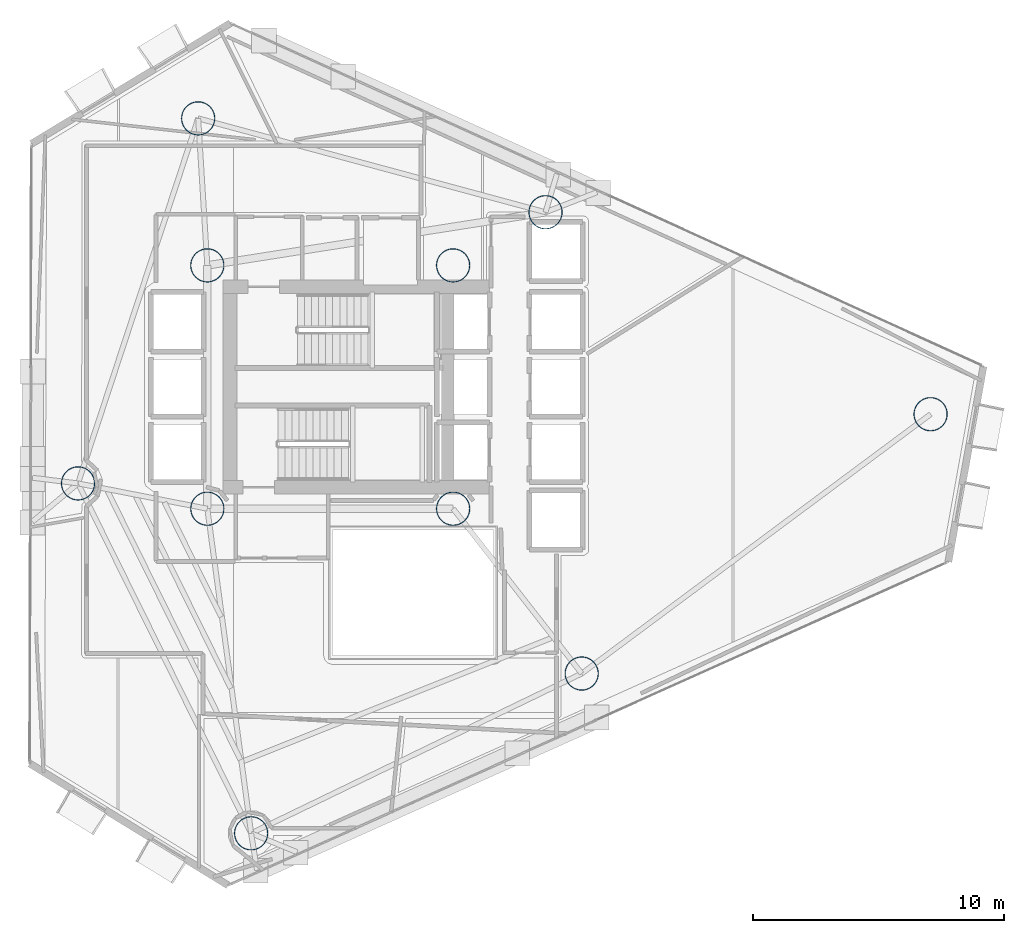
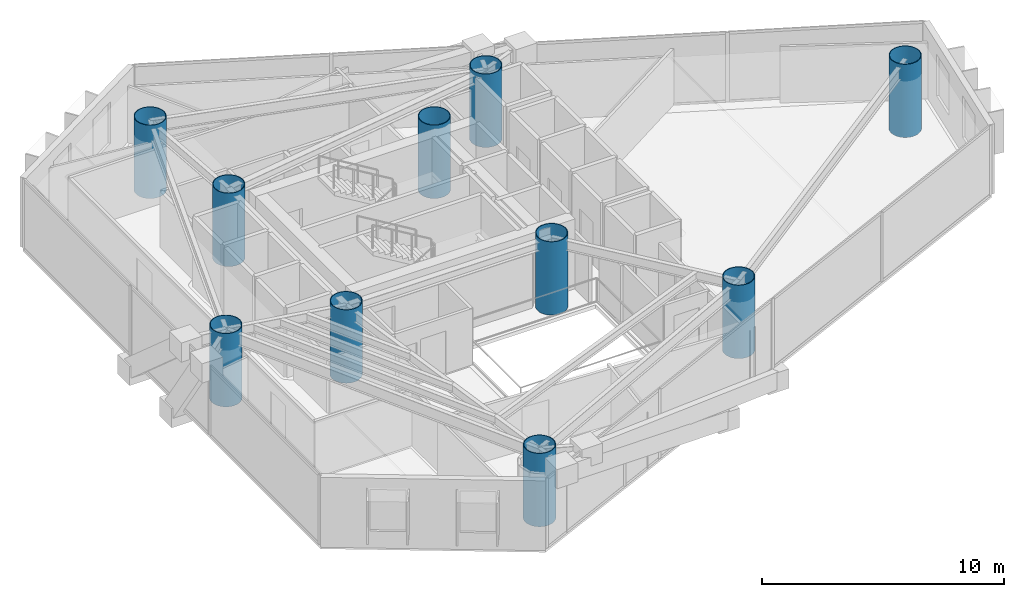
# One storey, part 1 of 23: 10 columns.
"""IFC4 building model written with IfcOpenShell, lengths in metres."""

import ifcopenshell
import ifcopenshell.guid

model = None  # the IFC model being written
_history = None  # IfcOwnerHistory: only IFC2X3 demands one
_inside = {}  # id of a spatial element -> (the spatial element, [elements in it])
_under = {}  # id of a project, library or spatial element -> (it, [spatial elements below it])
_declared = {}  # id of a project -> (the project, [libraries it declares])
_typed = {}  # id of a type object -> (the type object, [elements of that type])
_made_of = {}  # id of a material, layer set ... -> (it, [elements and type objects made of it])


def new_model(schema):
    """Start an empty IFC model of exactly this schema.

    Asked for "IFC4X3", IfcOpenShell would pick the latest addendum, in which some entities
    have other attributes; the version numbers below select the first issue.
    IFC2X3 requires an IfcOwnerHistory on every rooted entity: one is made here for all.
    """
    global model, _history
    if schema == "IFC4X3":
        model = ifcopenshell.file(schema_version=(4, 3, 0, 0))
    else:
        model = ifcopenshell.file(schema=schema)
    _inside.clear()
    _under.clear()
    _declared.clear()
    _typed.clear()
    _made_of.clear()
    _history = None
    if model.schema == "IFC2X3":
        org = make("IfcOrganization", Name="unknown")
        user = make(
            "IfcPersonAndOrganization",
            ThePerson=make("IfcPerson", FamilyName="unknown"),
            TheOrganization=org,
        )
        app = make(
            "IfcApplication",
            ApplicationDeveloper=org,
            Version="unknown",
            ApplicationFullName="unknown",
            ApplicationIdentifier="unknown",
        )
        _history = make(
            "IfcOwnerHistory",
            OwningUser=user,
            OwningApplication=app,
            ChangeAction="ADDED",
            CreationDate=0,
        )
    return model


def make(cls, **values):
    """One entity of the class cls with the attributes given. An attribute that is None is left unset."""
    return model.create_entity(
        cls, **{name: value for name, value in values.items() if value is not None}
    )


def rooted(cls, **values):
    """An entity with a GlobalId (a new one), such as an element, a storey or a relation."""
    return make(cls, GlobalId=ifcopenshell.guid.new(), OwnerHistory=_history, **values)


def si_unit(unit_type, name, prefix=None):
    """IfcSIUnit, for example si_unit("LENGTHUNIT", "METRE", prefix="MILLI")."""
    return make("IfcSIUnit", UnitType=unit_type, Prefix=prefix, Name=name)


def assignment(units):
    """IfcUnitAssignment: the units of a project."""
    return None if units is None else make("IfcUnitAssignment", Units=units)


def point(xyz):
    """IfcCartesianPoint."""
    return None if xyz is None else make("IfcCartesianPoint", Coordinates=xyz)


def direction(xyz):
    """IfcDirection."""
    return None if xyz is None else make("IfcDirection", DirectionRatios=xyz)


def frame(location, z_axis=None, x_axis=None):
    """IfcAxis2Placement3D, a coordinate frame: its origin and axes. An axis left out is left unset."""
    return make(
        "IfcAxis2Placement3D",
        Location=point(location),
        Axis=direction(z_axis),
        RefDirection=direction(x_axis),
    )


def frame_2d(location, x_axis=None):
    """IfcAxis2Placement2D, a coordinate frame in the plane: its origin and x axis."""
    return make(
        "IfcAxis2Placement2D", Location=point(location), RefDirection=direction(x_axis)
    )


def origin():
    """The frame at (0, 0, 0) with its axes left unset."""
    return frame((0.0, 0.0, 0.0))


def origin_2d():
    """The frame at (0, 0) in the plane with its x axis left unset."""
    return frame_2d((0.0, 0.0))


def place(relative_to, where):
    """IfcLocalPlacement: puts the frame where relative to a parent placement (None: the world)."""
    return make(
        "IfcLocalPlacement", PlacementRelTo=relative_to, RelativePlacement=where
    )


def context(
    kind, dimensions, precision=None, world=None, true_north=None, identifier=None
):
    """IfcGeometricRepresentationContext, for example the 3D "Model" context."""
    return make(
        "IfcGeometricRepresentationContext",
        ContextIdentifier=identifier,
        ContextType=kind,
        CoordinateSpaceDimension=dimensions,
        Precision=precision,
        WorldCoordinateSystem=world,
        TrueNorth=true_north,
    )


def subcontext(parent, identifier, kind, view, scale=None):
    """IfcGeometricRepresentationSubContext, for example "Body" below "Model"."""
    return make(
        "IfcGeometricRepresentationSubContext",
        ContextIdentifier=identifier,
        ContextType=kind,
        ParentContext=parent,
        TargetScale=scale,
        TargetView=view,
    )


def project(units=None, contexts=None):
    """IfcProject with its units and contexts."""
    return rooted(
        "IfcProject",
        Name="project",
        RepresentationContexts=contexts,
        UnitsInContext=assignment(units),
    )


def spatial(cls, under=None, at=None, **own):
    """A site, building, storey or space (cls), placed at a placement, below another one or the project."""
    s = rooted(cls, ObjectPlacement=at, **own)
    if under is not None:
        _under.setdefault(under.id(), (under, []))[1].append(s)
    return s


def profile(cls, at=None, kind="AREA", **sizes):
    """A parametric profile (cls). Its sizes go by their IFC names, for example OverallWidth=200.0."""
    return make(cls, ProfileType=kind, Position=at, **sizes)


def hollow_circle(**sizes):
    """IfcCircleHollowProfileDef."""
    return profile("IfcCircleHollowProfileDef", **sizes)


def extrude(swept, where, along, depth):
    """IfcExtrudedAreaSolid: the profile swept, set in the frame where, extruded along a direction by depth."""
    return make(
        "IfcExtrudedAreaSolid",
        SweptArea=swept,
        Position=where,
        ExtrudedDirection=direction(along),
        Depth=depth,
    )


def shape(context_of_items, identifier, shape_type, items):
    """IfcShapeRepresentation: the items that make up one representation, for example the "Body"."""
    return make(
        "IfcShapeRepresentation",
        ContextOfItems=context_of_items,
        RepresentationIdentifier=identifier,
        RepresentationType=shape_type,
        Items=items,
    )


def material(Name=None, Category=None):
    """IfcMaterial."""
    return make("IfcMaterial", Name=Name, Category=Category)


def material_profile(
    of_material, cross_section, Name=None, Category=None, Priority=None
):
    """IfcMaterialProfile: a cross section and its material."""
    return make(
        "IfcMaterialProfile",
        Name=Name,
        Material=of_material,
        Profile=cross_section,
        Priority=Priority,
        Category=Category,
    )


def profile_set(profiles, Name=None, composite=None):
    """IfcMaterialProfileSet."""
    return make(
        "IfcMaterialProfileSet",
        Name=Name,
        MaterialProfiles=profiles,
        CompositeProfile=composite,
    )


def made_of(thing, what):
    """Note that an element or type object is made of a material, layer set ...; save() writes the relation."""
    if what is not None:
        _made_of.setdefault(what.id(), (what, []))[1].append(thing)
    return thing


def type_object(cls, material=None, **own):
    """A type object (cls), such as IfcWallType, which elements share."""
    return made_of(rooted(cls, **own), material)


def element(
    cls,
    number,
    at=None,
    inside=None,
    cuts=None,
    type_object=None,
    material=None,
    context=None,
    identifier="Body",
    shape_type=None,
    held_by="IfcProductDefinitionShape",
    body=None,
    shapes=None,
    **own,
):
    """One element of the class cls, such as IfcWall. Its Tag is "e" and its number.

    at: its placement. inside: the storey or other place that contains it. cuts: it is an
    opening in that element (IfcRelVoidsElement). A single representation is given by context,
    identifier, shape_type and body (its items); several are given by shapes. held_by: the class
    of the entity that holds the representations. save() writes the other relations.
    """
    e = rooted(cls, Tag="e%d" % number, ObjectPlacement=at, **own)
    if body is not None:
        shapes = [shape(context, identifier, shape_type, body)]
    if shapes is not None:
        e.Representation = make(held_by, Representations=shapes)
    if inside is not None:
        _inside.setdefault(inside.id(), (inside, []))[1].append(e)
    if cuts is not None:
        rooted(
            "IfcRelVoidsElement", RelatingBuildingElement=cuts, RelatedOpeningElement=e
        )
    if type_object is not None:
        _typed.setdefault(type_object.id(), (type_object, []))[1].append(e)
    return made_of(e, material)


def aggregate(whole, parts):
    """IfcRelAggregates: a whole, such as a stair, and the parts it consists of."""
    return rooted("IfcRelAggregates", RelatingObject=whole, RelatedObjects=parts)


def save(model, path):
    """Write the relations noted so far, then the file.

    IfcRelAggregates (storeys below a building ...), IfcRelContainedInSpatialStructure (elements
    in a storey), IfcRelDefinesByType, IfcRelAssociatesMaterial and IfcRelDeclares: one each for
    every whole, place, type object, material and project.
    """
    for whole, parts in _under.values():
        aggregate(whole, parts)
    for where, things in _inside.values():
        rooted(
            "IfcRelContainedInSpatialStructure",
            RelatedElements=things,
            RelatingStructure=where,
        )
    for kind, things in _typed.values():
        rooted("IfcRelDefinesByType", RelatedObjects=things, RelatingType=kind)
    for what, things in _made_of.values():
        rooted("IfcRelAssociatesMaterial", RelatedObjects=things, RelatingMaterial=what)
    for by, libraries in _declared.values():
        rooted("IfcRelDeclares", RelatingContext=by, RelatedDefinitions=libraries)
    model.write(path)


model = new_model("IFC4")

# Units and contexts
model_context = context("Model", 3, precision=1e-05, world=origin(), true_north=direction((0.0, 1.0)))
body_context = subcontext(model_context, "Body", "Model", "MODEL_VIEW")
ifc_project = project(units=[si_unit("LENGTHUNIT", "METRE"), si_unit("AREAUNIT", "SQUARE_METRE"), si_unit("VOLUMEUNIT", "CUBIC_METRE"), si_unit("PLANEANGLEUNIT", "RADIAN"), si_unit("MASSUNIT", "GRAM", prefix="KILO")], contexts=[model_context])

# Site, building, storey
site_placement = place(None, origin())
site = spatial("IfcSite", under=ifc_project, at=site_placement, CompositionType="ELEMENT")
building_placement = place(site_placement, origin())
building = spatial("IfcBuilding", under=site, at=building_placement, Name="Qianvela Tower", CompositionType="ELEMENT")
storey_placement = place(building_placement, frame((0.0, 0.0, 147.60009765625)))
storey = spatial("IfcBuildingStorey", under=building, at=storey_placement, Name="L37", CompositionType="ELEMENT", Elevation=147.60009765625)

# Columns
ifc_material = material(Name="Steel Q420GJC", Category="steel")
ifc_material_profile = material_profile(ifc_material, hollow_circle(Radius=0.675048828125, WallThickness=0.031982421875, at=origin_2d()), Name="CFT-1350x32")
ifc_profile_set = profile_set([ifc_material_profile], Name="Steel Q420GJC")
column_type = type_object("IfcColumnType", Name="COL-CFT-1350x32", PredefinedType="COLUMN", material=ifc_profile_set)
for number, where, z_axis, x_axis, name in (
    (1, (28.60009765625, 33.550048828125, 0.0), (0.0, 0.0, 1.0), (1.0, 0.0, 0.0), "L37 Core Corner Mega-Column CC-NW"),
    (2, (28.60009765625, 23.85009765625, 0.0), (0.0, 0.0, 1.0), (1.0, 0.0, 0.0), "L37 Core Corner Mega-Column CC-SW"),
    (3, (38.39990234375, 33.550048828125, 0.0), (0.0, 0.0, 1.0), (1.0, 0.0, 0.0), "L37 Core Corner Mega-Column CC-NE"),
    (4, (38.39990234375, 23.85009765625, 0.0), (0.0, 0.0, 1.0), (1.0, 0.0, 0.0), "L37 Core Corner Mega-Column CC-SE"),
    (5, (57.43408203125, 27.617919921875, 0.0), (0.0, 0.0, 1.0), (1.0, 0.0, 0.0), "L37 Zone Z4 CFT Mega-Column C1"),
    (6, (42.0830078125, 35.6689453125, 0.0), (0.0, 0.0, 1.0), (1.0, 0.0, 0.0), "L37 Zone Z4 CFT Mega-Column C2"),
    (7, (28.235107421875, 39.410888671875, 0.0), (0.0, 0.0, 1.0), (1.0, 0.0, 0.0), "L37 Zone Z4 CFT Mega-Column C3"),
    (8, (23.446044921875, 24.85888671875, 0.0), (0.0, 0.0, 1.0), (1.0, 0.0, 0.0), "L37 Zone Z4 CFT Mega-Column C4"),
    (9, (30.346923828125, 10.908935546875, 0.0), (0.0, 0.0, 1.0), (1.0, 0.0, 0.0), "L37 Zone Z4 CFT Mega-Column C5"),
    (10, (43.52490234375, 17.279052734375, 0.0), (0.0, 0.0, 1.0), (1.0, 0.0, 0.0), "L37 Zone Z4 CFT Mega-Column C6"),
):
    element("IfcColumn", number, at=place(storey_placement, frame(where, z_axis=z_axis, x_axis=x_axis)), inside=storey, type_object=column_type, Name=name, PredefinedType="COLUMN", context=body_context, shape_type="SweptSolid", body=[
        extrude(hollow_circle(Radius=0.675048828125, WallThickness=0.031982421875, at=origin_2d()), origin(), (0.0, 0.0, 1.0), 3.699951171875),
    ])

save(model, "model.ifc")
